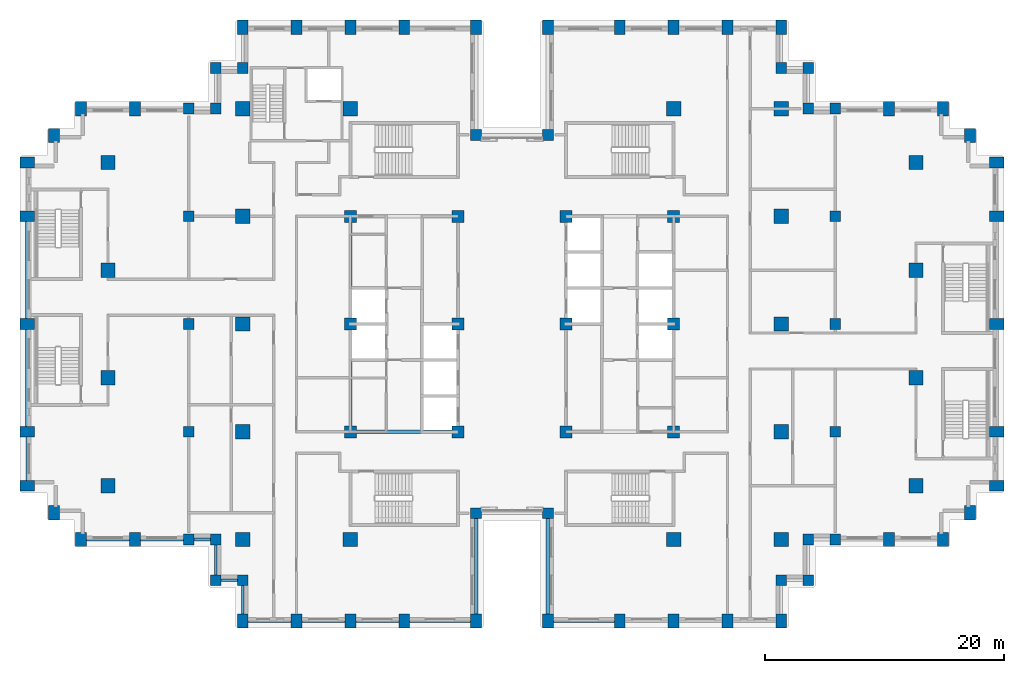
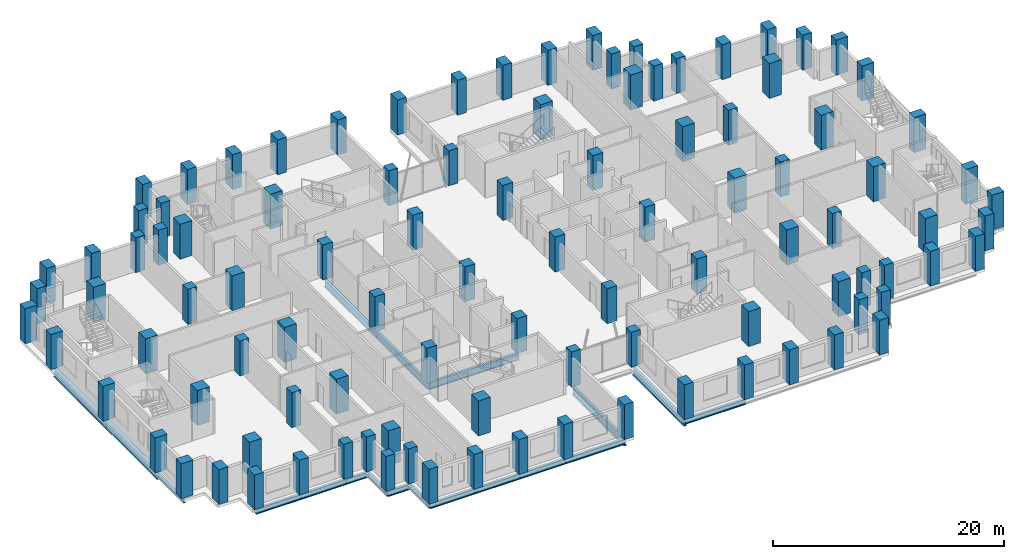
# One storey, part 1 of 16: 102 columns, 19 beams.
"""IFC4 building model written with IfcOpenShell, lengths in metres."""

from ifc_helpers import new_model, si_unit, direction, frame, origin, origin_2d, place, context, subcontext, project, spatial, rectangle, i_section, extrude, material, material_profile, profile_set, type_object, element, save


model = new_model("IFC4")

# Units and contexts
model_context = context("Model", 3, precision=1e-05, world=origin(), true_north=direction((0.0, 1.0)))
body_context = subcontext(model_context, "Body", "Model", "MODEL_VIEW")
ifc_project = project(units=[si_unit("LENGTHUNIT", "METRE"), si_unit("AREAUNIT", "SQUARE_METRE"), si_unit("VOLUMEUNIT", "CUBIC_METRE"), si_unit("PLANEANGLEUNIT", "RADIAN"), si_unit("MASSUNIT", "GRAM", prefix="KILO")], contexts=[model_context])

# Site, building, storey
site_placement = place(None, origin())
site = spatial("IfcSite", under=ifc_project, at=site_placement, CompositionType="ELEMENT")
building_placement = place(site_placement, origin())
building = spatial("IfcBuilding", under=site, at=building_placement, Name="Corbelhall Arena Tower", CompositionType="ELEMENT")
storey_placement = place(building_placement, frame((0.0, 0.0, 112.0)))
storey = spatial("IfcBuildingStorey", under=building, at=storey_placement, Name="L20", CompositionType="ELEMENT", Elevation=112.0)

# Columns
ifc_material_1 = material(Name="Concrete C80/95", Category="concrete")
ifc_material_profile_1 = material_profile(ifc_material_1, rectangle(XDim=1.0, YDim=1.0, at=origin_2d()))
ifc_profile_set_1 = profile_set([ifc_material_profile_1], Name="Concrete C80/95")
column_type_1 = type_object("IfcColumnType", Name="ST-COL-RC 1000x1000", PredefinedType="COLUMN", material=ifc_profile_set_1)
for number, where, z_axis, x_axis, name in (
    (1, (4.5, 0.0, 0.0), (0.0, 0.0, 1.0), (1.0, 0.0, 0.0), "Column KE+0450+0000"),
    (2, (4.5, 9.0, 0.0), (0.0, 0.0, 1.0), (1.0, 0.0, 0.0), "Column KE+0450+0900"),
    (3, (4.5, -9.0, 0.0), (0.0, 0.0, 1.0), (1.0, 0.0, 0.0), "Column KE+0450-0900"),
    (4, (13.5, 0.0, 0.0), (0.0, 0.0, 1.0), (1.0, 0.0, 0.0), "Column KE+1350+0000"),
    (5, (13.5, 9.0, 0.0), (0.0, 0.0, 1.0), (1.0, 0.0, 0.0), "Column KE+1350+0900"),
    (6, (13.5, -9.0, 0.0), (0.0, 0.0, 1.0), (1.0, 0.0, 0.0), "Column KE+1350-0900"),
    (7, (-4.5, 0.0, 0.0), (0.0, 0.0, 1.0), (1.0, 0.0, 0.0), "Column KW-0450+0000"),
    (8, (-4.5, 9.0, 0.0), (0.0, 0.0, 1.0), (1.0, 0.0, 0.0), "Column KW-0450+0900"),
    (9, (-4.5, -9.0, 0.0), (0.0, 0.0, 1.0), (1.0, 0.0, 0.0), "Column KW-0450-0900"),
    (10, (-13.5, 0.0, 0.0), (0.0, 0.0, 1.0), (1.0, 0.0, 0.0), "Column KW-1350+0000"),
    (11, (-13.5, 9.0, 0.0), (0.0, 0.0, 1.0), (1.0, 0.0, 0.0), "Column KW-1350+0900"),
    (12, (-13.5, -9.0, 0.0), (0.0, 0.0, 1.0), (1.0, 0.0, 0.0), "Column KW-1350-0900"),
):
    element("IfcColumn", number, at=place(storey_placement, frame(where, z_axis=z_axis, x_axis=x_axis)), inside=storey, type_object=column_type_1, Name=name, PredefinedType="COLUMN", context=body_context, shape_type="SweptSolid", body=[
        extrude(rectangle(XDim=1.0, YDim=1.0, at=origin_2d()), origin(), (0.0, 0.0, 1.0), 3.699951171875),
    ])
ifc_material_profile_2 = material_profile(ifc_material_1, rectangle(XDim=1.199951171875, YDim=1.199951171875, at=origin_2d()))
ifc_profile_set_2 = profile_set([ifc_material_profile_2], Name="Concrete C80/95")
column_type_2 = type_object("IfcColumnType", Name="ST-COL-RC 1200x1200", PredefinedType="COLUMN", material=ifc_profile_set_2)
for number, where, z_axis, x_axis, name in (
    (13, (-33.75, 4.5, 0.0), (0.0, 0.0, 1.0), (1.0, 0.0, 0.0), "Column FIC+0450"),
    (14, (-33.75, 13.5, 0.0), (0.0, 0.0, 1.0), (1.0, 0.0, 0.0), "Column FIC+1350"),
    (15, (-33.75, -4.5, 0.0), (0.0, 0.0, 1.0), (1.0, 0.0, 0.0), "Column FIC-0450"),
    (16, (-33.75, -13.5, 0.0), (0.0, 0.0, 1.0), (1.0, 0.0, 0.0), "Column FIC-1350"),
    (17, (33.75, 4.5, 0.0), (0.0, 0.0, 1.0), (1.0, 0.0, 0.0), "Column FID+0450"),
    (18, (33.75, 13.5, 0.0), (0.0, 0.0, 1.0), (1.0, 0.0, 0.0), "Column FID+1350"),
    (19, (33.75, -4.5, 0.0), (0.0, 0.0, 1.0), (1.0, 0.0, 0.0), "Column FID-0450"),
    (20, (33.75, -13.5, 0.0), (0.0, 0.0, 1.0), (1.0, 0.0, 0.0), "Column FID-1350"),
    (21, (13.5, 18.0, 0.0), (0.0, 0.0, 1.0), (1.0, 0.0, 0.0), "Column IE13+1800"),
    (22, (13.5, -18.0, 0.0), (0.0, 0.0, 1.0), (1.0, 0.0, 0.0), "Column IE13-1800"),
    (23, (22.5, 0.0, 0.0), (0.0, 0.0, 1.0), (1.0, 0.0, 0.0), "Column IE22+0000"),
    (24, (22.5, 9.0, 0.0), (0.0, 0.0, 1.0), (1.0, 0.0, 0.0), "Column IE22+0900"),
    (25, (22.5, 18.0, 0.0), (0.0, 0.0, 1.0), (1.0, 0.0, 0.0), "Column IE22+1800"),
    (26, (22.5, -9.0, 0.0), (0.0, 0.0, 1.0), (1.0, 0.0, 0.0), "Column IE22-0900"),
    (27, (22.5, -18.0, 0.0), (0.0, 0.0, 1.0), (1.0, 0.0, 0.0), "Column IE22-1800"),
    (28, (-13.5, 18.0, 0.0), (0.0, 0.0, 1.0), (1.0, 0.0, 0.0), "Column IW13+1800"),
    (29, (-13.5, -18.0, 0.0), (0.0, 0.0, 1.0), (1.0, 0.0, 0.0), "Column IW13-1800"),
    (30, (-22.5, 0.0, 0.0), (0.0, 0.0, 1.0), (1.0, 0.0, 0.0), "Column IW22+0000"),
    (31, (-22.5, 9.0, 0.0), (0.0, 0.0, 1.0), (1.0, 0.0, 0.0), "Column IW22+0900"),
    (32, (-22.5, 18.0, 0.0), (0.0, 0.0, 1.0), (1.0, 0.0, 0.0), "Column IW22+1800"),
    (33, (-22.5, -9.0, 0.0), (0.0, 0.0, 1.0), (1.0, 0.0, 0.0), "Column IW22-0900"),
    (34, (-22.5, -18.0, 0.0), (0.0, 0.0, 1.0), (1.0, 0.0, 0.0), "Column IW22-1800"),
):
    element("IfcColumn", number, at=place(storey_placement, frame(where, z_axis=z_axis, x_axis=x_axis)), inside=storey, type_object=column_type_2, Name=name, PredefinedType="COLUMN", context=body_context, shape_type="SweptSolid", body=[
        extrude(rectangle(XDim=1.199951171875, YDim=1.199951171875, at=origin_2d()), origin(), (0.0, 0.0, 1.0), 3.699951171875),
    ])
ifc_material_profile_3 = material_profile(ifc_material_1, rectangle(XDim=0.89990234375, YDim=1.199951171875, at=origin_2d()))
ifc_profile_set_3 = profile_set([ifc_material_profile_3], Name="Concrete C80/95")
column_type_3 = type_object("IfcColumnType", Name="ST-COL-RC 900x1200", PredefinedType="COLUMN", material=ifc_profile_set_3)
for number, where, z_axis, x_axis, name in (
    (35, (-40.5, 0.0, 0.0), (0.0, 0.0, 1.0), (0.0, 1.0, 0.0), "Column FC+0000"),
    (36, (-40.5, 9.0, 0.0), (0.0, 0.0, 1.0), (0.0, 1.0, 0.0), "Column FC+0900"),
    (37, (-40.5, 13.5, 0.0), (0.0, 0.0, 1.0), (0.0, 1.0, 0.0), "Column FC+1350"),
    (38, (-40.5, -9.0, 0.0), (0.0, 0.0, 1.0), (0.0, 1.0, 0.0), "Column FC-0900"),
    (39, (-40.5, -13.5, 0.0), (0.0, 0.0, 1.0), (0.0, 1.0, 0.0), "Column FC-1350"),
    (40, (-38.25, 15.75, 0.0), (0.0, 0.0, 1.0), (1.0, 0.0, 0.0), "Column FCCN"),
    (41, (-38.25, -15.75, 0.0), (0.0, 0.0, 1.0), (1.0, 0.0, 0.0), "Column FCCS"),
    (42, (-31.5, 18.0, 0.0), (0.0, 0.0, 1.0), (1.0, 0.0, 0.0), "Column FCN3150"),
    (43, (-36.0, 18.0, 0.0), (0.0, 0.0, 1.0), (1.0, 0.0, 0.0), "Column FCN3600"),
    (44, (-31.5, -18.0, 0.0), (0.0, 0.0, 1.0), (1.0, 0.0, 0.0), "Column FCS3150"),
    (45, (-36.0, -18.0, 0.0), (0.0, 0.0, 1.0), (1.0, 0.0, 0.0), "Column FCS3600"),
    (46, (40.5, 0.0, 0.0), (0.0, 0.0, 1.0), (0.0, 1.0, 0.0), "Column FD+0000"),
    (47, (40.5, 9.0, 0.0), (0.0, 0.0, 1.0), (0.0, 1.0, 0.0), "Column FD+0900"),
    (48, (40.5, 13.5, 0.0), (0.0, 0.0, 1.0), (0.0, 1.0, 0.0), "Column FD+1350"),
    (49, (40.5, -9.0, 0.0), (0.0, 0.0, 1.0), (0.0, 1.0, 0.0), "Column FD-0900"),
    (50, (40.5, -13.5, 0.0), (0.0, 0.0, 1.0), (0.0, 1.0, 0.0), "Column FD-1350"),
    (51, (38.25, 15.75, 0.0), (0.0, 0.0, 1.0), (1.0, 0.0, 0.0), "Column FDCN"),
    (52, (38.25, -15.75, 0.0), (0.0, 0.0, 1.0), (1.0, 0.0, 0.0), "Column FDCS"),
    (53, (31.5, 18.0, 0.0), (0.0, 0.0, 1.0), (1.0, 0.0, 0.0), "Column FDN3150"),
    (54, (36.0, 18.0, 0.0), (0.0, 0.0, 1.0), (1.0, 0.0, 0.0), "Column FDN3600"),
    (55, (31.5, -18.0, 0.0), (0.0, 0.0, 1.0), (1.0, 0.0, 0.0), "Column FDS3150"),
    (56, (36.0, -18.0, 0.0), (0.0, 0.0, 1.0), (1.0, 0.0, 0.0), "Column FDS3600"),
    (57, (3.0, 24.800048828125, 0.0), (0.0, 0.0, 1.0), (1.0, 0.0, 0.0), "Column PNE0300"),
    (58, (9.0, 24.800048828125, 0.0), (0.0, 0.0, 1.0), (1.0, 0.0, 0.0), "Column PNE0900"),
    (59, (13.5, 24.800048828125, 0.0), (0.0, 0.0, 1.0), (1.0, 0.0, 0.0), "Column PNE1350"),
    (60, (18.0, 24.800048828125, 0.0), (0.0, 0.0, 1.0), (1.0, 0.0, 0.0), "Column PNE1800"),
    (61, (22.5, 24.800048828125, 0.0), (0.0, 0.0, 1.0), (1.0, 0.0, 0.0), "Column PNE2250"),
    (62, (-3.0, 24.800048828125, 0.0), (0.0, 0.0, 1.0), (1.0, 0.0, 0.0), "Column PNW0300"),
    (63, (-9.0, 24.800048828125, 0.0), (0.0, 0.0, 1.0), (1.0, 0.0, 0.0), "Column PNW0900"),
    (64, (-13.5, 24.800048828125, 0.0), (0.0, 0.0, 1.0), (1.0, 0.0, 0.0), "Column PNW1350"),
    (65, (-18.0, 24.800048828125, 0.0), (0.0, 0.0, 1.0), (1.0, 0.0, 0.0), "Column PNW1800"),
    (66, (-22.5, 24.800048828125, 0.0), (0.0, 0.0, 1.0), (1.0, 0.0, 0.0), "Column PNW2250"),
    (67, (3.0, -24.800048828125, 0.0), (0.0, 0.0, 1.0), (1.0, 0.0, 0.0), "Column PSE0300"),
    (68, (9.0, -24.800048828125, 0.0), (0.0, 0.0, 1.0), (1.0, 0.0, 0.0), "Column PSE0900"),
    (69, (13.5, -24.800048828125, 0.0), (0.0, 0.0, 1.0), (1.0, 0.0, 0.0), "Column PSE1350"),
    (70, (18.0, -24.800048828125, 0.0), (0.0, 0.0, 1.0), (1.0, 0.0, 0.0), "Column PSE1800"),
    (71, (22.5, -24.800048828125, 0.0), (0.0, 0.0, 1.0), (1.0, 0.0, 0.0), "Column PSE2250"),
    (72, (-3.0, -24.800048828125, 0.0), (0.0, 0.0, 1.0), (1.0, 0.0, 0.0), "Column PSW0300"),
    (73, (-9.0, -24.800048828125, 0.0), (0.0, 0.0, 1.0), (1.0, 0.0, 0.0), "Column PSW0900"),
    (74, (-13.5, -24.800048828125, 0.0), (0.0, 0.0, 1.0), (1.0, 0.0, 0.0), "Column PSW1350"),
    (75, (-18.0, -24.800048828125, 0.0), (0.0, 0.0, 1.0), (1.0, 0.0, 0.0), "Column PSW1800"),
    (76, (-22.5, -24.800048828125, 0.0), (0.0, 0.0, 1.0), (1.0, 0.0, 0.0), "Column PSW2250"),
):
    element("IfcColumn", number, at=place(storey_placement, frame(where, z_axis=z_axis, x_axis=x_axis)), inside=storey, type_object=column_type_3, Name=name, PredefinedType="COLUMN", context=body_context, shape_type="SweptSolid", body=[
        extrude(rectangle(XDim=0.89990234375, YDim=1.199951171875, at=origin_2d()), origin(), (0.0, 0.0, 1.0), 3.699951171875),
    ])
ifc_material_profile_4 = material_profile(ifc_material_1, rectangle(XDim=0.89990234375, YDim=0.89990234375, at=origin_2d()))
ifc_profile_set_4 = profile_set([ifc_material_profile_4], Name="Concrete C80/95")
column_type_4 = type_object("IfcColumnType", Name="ST-COL-RC 900x900", PredefinedType="COLUMN", material=ifc_profile_set_4)
for number, where, z_axis, x_axis, name in (
    (77, (27.0, 0.0, 0.0), (0.0, 0.0, 1.0), (1.0, 0.0, 0.0), "Column PE+0000"),
    (78, (27.0, 9.0, 0.0), (0.0, 0.0, 1.0), (1.0, 0.0, 0.0), "Column PE+0900"),
    (79, (27.0, 18.0, 0.0), (0.0, 0.0, 1.0), (1.0, 0.0, 0.0), "Column PE+1800"),
    (80, (27.0, -9.0, 0.0), (0.0, 0.0, 1.0), (1.0, 0.0, 0.0), "Column PE-0900"),
    (81, (27.0, -18.0, 0.0), (0.0, 0.0, 1.0), (1.0, 0.0, 0.0), "Column PE-1800"),
    (82, (-27.0, 0.0, 0.0), (0.0, 0.0, 1.0), (1.0, 0.0, 0.0), "Column PW+0000"),
    (83, (-27.0, 9.0, 0.0), (0.0, 0.0, 1.0), (1.0, 0.0, 0.0), "Column PW+0900"),
    (84, (-27.0, 18.0, 0.0), (0.0, 0.0, 1.0), (1.0, 0.0, 0.0), "Column PW+1800"),
    (85, (-27.0, -9.0, 0.0), (0.0, 0.0, 1.0), (1.0, 0.0, 0.0), "Column PW-0900"),
    (86, (-27.0, -18.0, 0.0), (0.0, 0.0, 1.0), (1.0, 0.0, 0.0), "Column PW-1800"),
    (87, (3.0, 15.800048828125, 0.0), (0.0, 0.0, 1.0), (1.0, 0.0, 0.0), "Column SLNE2"),
    (88, (-3.0, 15.800048828125, 0.0), (0.0, 0.0, 1.0), (1.0, 0.0, 0.0), "Column SLNW2"),
    (89, (3.0, -15.800048828125, 0.0), (0.0, 0.0, 1.0), (1.0, 0.0, 0.0), "Column SLSE2"),
    (90, (-3.0, -15.800048828125, 0.0), (0.0, 0.0, 1.0), (1.0, 0.0, 0.0), "Column SLSW2"),
    (91, (22.5, 21.39990234375, 0.0), (0.0, 0.0, 1.0), (1.0, 0.0, 0.0), "Column XNE1"),
    (92, (24.75, 21.39990234375, 0.0), (0.0, 0.0, 1.0), (1.0, 0.0, 0.0), "Column XNE2"),
    (93, (24.75, 18.0, 0.0), (0.0, 0.0, 1.0), (1.0, 0.0, 0.0), "Column XNE3"),
    (94, (-22.5, 21.39990234375, 0.0), (0.0, 0.0, 1.0), (1.0, 0.0, 0.0), "Column XNW1"),
    (95, (-24.75, 21.39990234375, 0.0), (0.0, 0.0, 1.0), (1.0, 0.0, 0.0), "Column XNW2"),
    (96, (-24.75, 18.0, 0.0), (0.0, 0.0, 1.0), (1.0, 0.0, 0.0), "Column XNW3"),
    (97, (22.5, -21.39990234375, 0.0), (0.0, 0.0, 1.0), (1.0, 0.0, 0.0), "Column XSE1"),
    (98, (24.75, -21.39990234375, 0.0), (0.0, 0.0, 1.0), (1.0, 0.0, 0.0), "Column XSE2"),
    (99, (24.75, -18.0, 0.0), (0.0, 0.0, 1.0), (1.0, 0.0, 0.0), "Column XSE3"),
    (100, (-22.5, -21.39990234375, 0.0), (0.0, 0.0, 1.0), (1.0, 0.0, 0.0), "Column XSW1"),
    (101, (-24.75, -21.39990234375, 0.0), (0.0, 0.0, 1.0), (1.0, 0.0, 0.0), "Column XSW2"),
    (102, (-24.75, -18.0, 0.0), (0.0, 0.0, 1.0), (1.0, 0.0, 0.0), "Column XSW3"),
):
    element("IfcColumn", number, at=place(storey_placement, frame(where, z_axis=z_axis, x_axis=x_axis)), inside=storey, type_object=column_type_4, Name=name, PredefinedType="COLUMN", context=body_context, shape_type="SweptSolid", body=[
        extrude(rectangle(XDim=0.89990234375, YDim=0.89990234375, at=origin_2d()), origin(), (0.0, 0.0, 1.0), 3.699951171875),
    ])

# Beams
ifc_material_2 = material(Name="Steel ASTM A992 Gr50", Category="steel")
ifc_material_profile_5 = material_profile(ifc_material_2, i_section(OverallWidth=0.2666015625, OverallDepth=0.761962890625, WebThickness=0.014404296875, FlangeThickness=0.021484375, at=origin_2d()))
ifc_profile_set_5 = profile_set([ifc_material_profile_5], Name="Steel ASTM A992 Gr50")
beam_type_1 = type_object("IfcBeamType", Name="ST-BEAM-W30x116", PredefinedType="BEAM", material=ifc_profile_set_5)
for number, where, z_axis, x_axis, name in (
    (103, (-13.5, -9.0, -0.680908203125), (0.0, 1.0, 0.0), (-1.0, 0.0, 0.0), "Beam CEW 1"),
    (104, (-13.5, 0.0, -0.680908203125), (0.0, 1.0, 0.0), (-1.0, 0.0, 0.0), "Beam CEW 2"),
    (105, (-13.5, -9.0, -0.680908203125), (1.0, 0.0, 0.0), (0.0, 1.0, 0.0), "Beam CEW 5"),
):
    element("IfcBeam", number, at=place(storey_placement, frame(where, z_axis=z_axis, x_axis=x_axis)), inside=storey, type_object=beam_type_1, Name=name, PredefinedType="BEAM", context=body_context, shape_type="SweptSolid", body=[
        extrude(i_section(OverallWidth=0.2666015625, OverallDepth=0.761962890625, WebThickness=0.014404296875, FlangeThickness=0.021484375, at=origin_2d()), origin(), (0.0, 0.0, 1.0), 9.0),
    ])
ifc_material_profile_6 = material_profile(ifc_material_2, i_section(OverallWidth=0.23046875, OverallDepth=0.6171875, WebThickness=0.01318359375, FlangeThickness=0.022216796875, at=origin_2d()))
ifc_profile_set_6 = profile_set([ifc_material_profile_6], Name="Steel ASTM A992 Gr50")
beam_type_2 = type_object("IfcBeamType", Name="ST-SPANDREL-W24x94", PredefinedType="SPANDREL", material=ifc_profile_set_6)
for number, where, z_axis, x_axis, name in (
    (106, (-40.5, -13.5, -0.608642578125), (0.0, 1.0, 0.0), (-1.0, 0.0, 0.0), "Beam SP 4"),
    (107, (-31.5, -18.0, -0.608642578125), (-1.0, 0.0, 0.0), (0.0, -1.0, 0.0), "Beam SP 7"),
):
    element("IfcBeam", number, at=place(storey_placement, frame(where, z_axis=z_axis, x_axis=x_axis)), inside=storey, type_object=beam_type_2, Name=name, PredefinedType="SPANDREL", context=body_context, shape_type="SweptSolid", body=[
        extrude(i_section(OverallWidth=0.23046875, OverallDepth=0.6171875, WebThickness=0.01318359375, FlangeThickness=0.022216796875, at=origin_2d()), origin(), (0.0, 0.0, 1.0), 4.5),
    ])
for number, where, z_axis, x_axis, name in (
    (108, (9.0, -24.800048828125, -0.608642578125), (-1.0, 0.0, 0.0), (0.0, -1.0, 0.0), "Beam SP 28"),
    (109, (-3.0, -24.800048828125, -0.608642578125), (-1.0, 0.0, 0.0), (0.0, -1.0, 0.0), "Beam SP 32"),
):
    element("IfcBeam", number, at=place(storey_placement, frame(where, z_axis=z_axis, x_axis=x_axis)), inside=storey, type_object=beam_type_2, Name=name, PredefinedType="SPANDREL", context=body_context, shape_type="SweptSolid", body=[
        extrude(i_section(OverallWidth=0.23046875, OverallDepth=0.6171875, WebThickness=0.01318359375, FlangeThickness=0.022216796875, at=origin_2d()), origin(), (0.0, 0.0, 1.0), 6.0),
    ])
for number, where, z_axis, x_axis, name in (
    (110, (-9.0, -24.800048828125, -0.608642578125), (-1.0, 0.0, 0.0), (0.0, -1.0, 0.0), "Beam SP 33"),
    (111, (-13.5, -24.800048828125, -0.608642578125), (-1.0, 0.0, 0.0), (0.0, -1.0, 0.0), "Beam SP 34"),
    (112, (-18.0, -24.800048828125, -0.608642578125), (-1.0, 0.0, 0.0), (0.0, -1.0, 0.0), "Beam SP 35"),
):
    element("IfcBeam", number, at=place(storey_placement, frame(where, z_axis=z_axis, x_axis=x_axis)), inside=storey, type_object=beam_type_2, Name=name, PredefinedType="SPANDREL", context=body_context, shape_type="SweptSolid", body=[
        extrude(i_section(OverallWidth=0.23046875, OverallDepth=0.6171875, WebThickness=0.01318359375, FlangeThickness=0.022216796875, at=origin_2d()), origin(), (0.0, 0.0, 1.0), 4.5),
    ])
beam_1_placement = place(storey_placement, frame((-22.5, -24.800048828125, -0.608642578125), z_axis=(0.0, 1.0, 0.0), x_axis=(-1.0, 0.0, 0.0)))
element("IfcBeam", 113, at=beam_1_placement, inside=storey, type_object=beam_type_2, Name="Beam SP 36", PredefinedType="SPANDREL", context=body_context, shape_type="SweptSolid", body=[
    extrude(i_section(OverallWidth=0.23046875, OverallDepth=0.6171875, WebThickness=0.01318359375, FlangeThickness=0.022216796875, at=origin_2d()), origin(), (0.0, 0.0, 1.0), 3.400146484375),
])
beam_2_placement = place(storey_placement, frame((-27.0, -18.0, -0.608642578125), z_axis=(-1.0, 0.0, 0.0), x_axis=(0.0, -1.0, 0.0)))
element("IfcBeam", 114, at=beam_2_placement, inside=storey, type_object=beam_type_2, Name="Beam SP 38", PredefinedType="SPANDREL", context=body_context, shape_type="SweptSolid", body=[
    extrude(i_section(OverallWidth=0.23046875, OverallDepth=0.6171875, WebThickness=0.01318359375, FlangeThickness=0.022216796875, at=origin_2d()), origin(), (0.0, 0.0, 1.0), 4.5),
])
beam_3_placement = place(storey_placement, frame((-22.5, -21.39990234375, -0.608642578125), z_axis=(-1.0, 0.0, 0.0), x_axis=(0.0, -1.0, 0.0)))
element("IfcBeam", 115, at=beam_3_placement, inside=storey, type_object=beam_type_2, Name="Beam SP 52", PredefinedType="SPANDREL", context=body_context, shape_type="SweptSolid", body=[
    extrude(i_section(OverallWidth=0.23046875, OverallDepth=0.6171875, WebThickness=0.01318359375, FlangeThickness=0.022216796875, at=origin_2d()), origin(), (0.0, 0.0, 1.0), 2.25),
])
beam_4_placement = place(storey_placement, frame((-24.75, -21.39990234375, -0.608642578125), z_axis=(0.0, 1.0, 0.0), x_axis=(-1.0, 0.0, 0.0)))
element("IfcBeam", 116, at=beam_4_placement, inside=storey, type_object=beam_type_2, Name="Beam SP 53", PredefinedType="SPANDREL", context=body_context, shape_type="SweptSolid", body=[
    extrude(i_section(OverallWidth=0.23046875, OverallDepth=0.6171875, WebThickness=0.01318359375, FlangeThickness=0.022216796875, at=origin_2d()), origin(), (0.0, 0.0, 1.0), 3.39990234375),
])
beam_5_placement = place(storey_placement, frame((-24.75, -18.0, -0.608642578125), z_axis=(-1.0, 0.0, 0.0), x_axis=(0.0, -1.0, 0.0)))
element("IfcBeam", 117, at=beam_5_placement, inside=storey, type_object=beam_type_2, Name="Beam SP 54", PredefinedType="SPANDREL", context=body_context, shape_type="SweptSolid", body=[
    extrude(i_section(OverallWidth=0.23046875, OverallDepth=0.6171875, WebThickness=0.01318359375, FlangeThickness=0.022216796875, at=origin_2d()), origin(), (0.0, 0.0, 1.0), 2.25),
])
ifc_material_profile_7 = material_profile(ifc_material_2, i_section(OverallWidth=0.2919921875, OverallDepth=0.845703125, WebThickness=0.015380859375, FlangeThickness=0.0244140625, at=origin_2d()))
ifc_profile_set_7 = profile_set([ifc_material_profile_7], Name="Steel ASTM A992 Gr50")
beam_type_3 = type_object("IfcBeamType", Name="ST-SPANDREL-W33x141", PredefinedType="SPANDREL", material=ifc_profile_set_7)
for number, where, z_axis, x_axis, name in (
    (118, (-40.5, 0.0, -0.722900390625), (0.0, 1.0, 0.0), (-1.0, 0.0, 0.0), "Beam SP 1"),
    (119, (-40.5, -9.0, -0.722900390625), (0.0, 1.0, 0.0), (-1.0, 0.0, 0.0), "Beam SP 3"),
    (120, (3.0, -24.800048828125, -0.722900390625), (0.0, 1.0, 0.0), (-1.0, 0.0, 0.0), "Beam SP 27"),
    (121, (-3.0, -15.800048828125, -0.722900390625), (0.0, -1.0, 0.0), (1.0, 0.0, 0.0), "Beam SP 42"),
):
    element("IfcBeam", number, at=place(storey_placement, frame(where, z_axis=z_axis, x_axis=x_axis)), inside=storey, type_object=beam_type_3, Name=name, PredefinedType="SPANDREL", context=body_context, shape_type="SweptSolid", body=[
        extrude(i_section(OverallWidth=0.2919921875, OverallDepth=0.845703125, WebThickness=0.015380859375, FlangeThickness=0.0244140625, at=origin_2d()), origin(), (0.0, 0.0, 1.0), 9.0),
    ])

save(model, "model.ifc")
